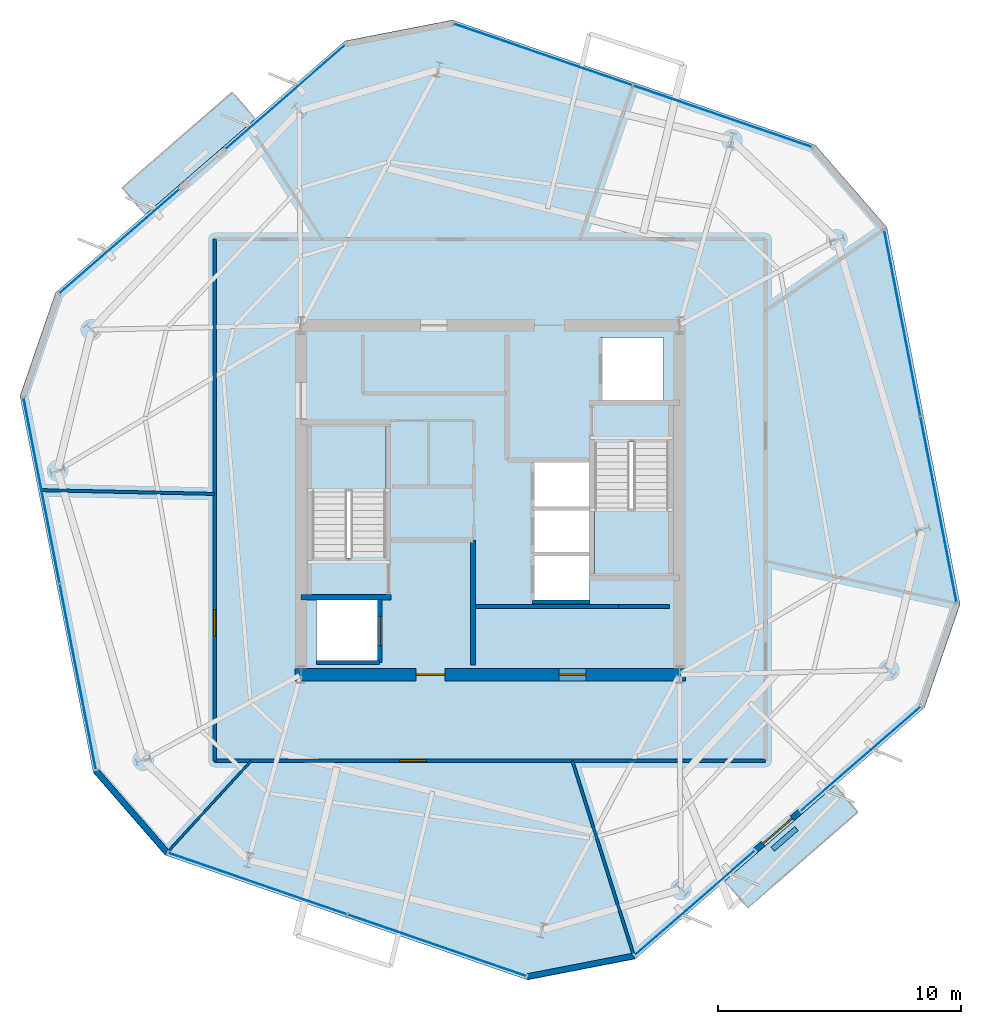
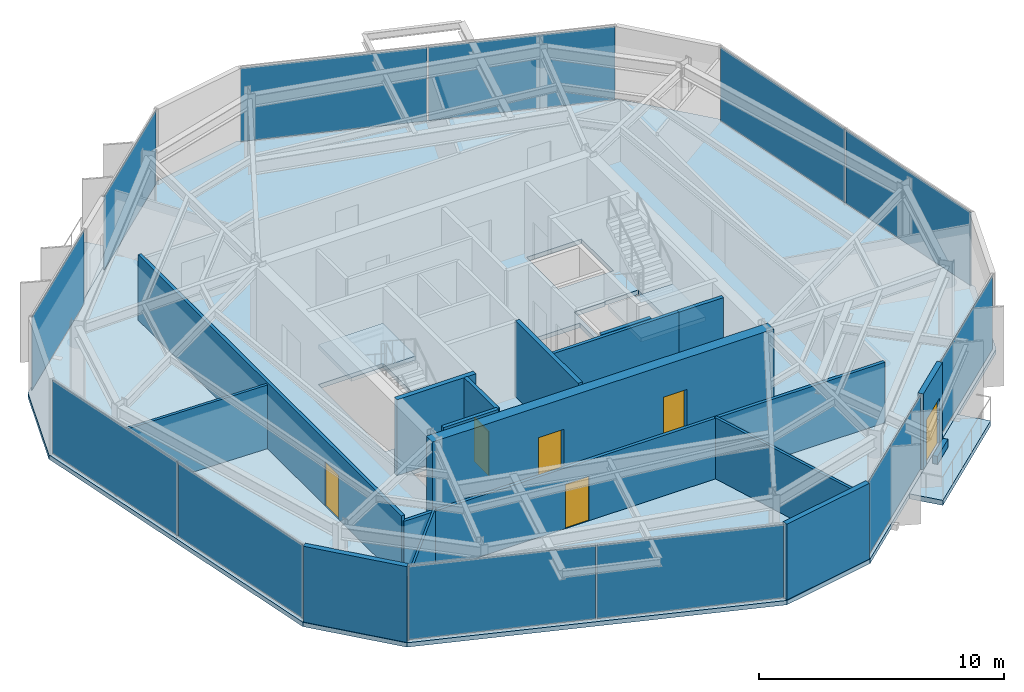
# One storey, part 6 of 11: 17 walls, 12 plates, 6 doors, 5 slabs, 6 openings, 10 elements without a shape of their own.
"""IFC4 building model written with IfcOpenShell, lengths in metres."""

from ifc_helpers import new_model, si_unit, direction, frame, frame_2d, origin, origin_2d, place, context, subcontext, project, spatial, polyline, rectangle, outline, extrude, material, layer, layer_set, type_object, element, fill, aggregate, save


model = new_model("IFC4")

# Units and contexts
model_context = context("Model", 3, precision=1e-05, world=origin(), true_north=direction((0.0, 1.0)))
body_context = subcontext(model_context, "Body", "Model", "MODEL_VIEW")
ifc_project = project(units=[si_unit("LENGTHUNIT", "METRE"), si_unit("AREAUNIT", "SQUARE_METRE"), si_unit("VOLUMEUNIT", "CUBIC_METRE"), si_unit("PLANEANGLEUNIT", "RADIAN"), si_unit("MASSUNIT", "GRAM", prefix="KILO")], contexts=[model_context])

# Site, building, storey
site_placement = place(None, origin())
site = spatial("IfcSite", under=ifc_project, at=site_placement, CompositionType="ELEMENT")
building_placement = place(site_placement, origin())
building = spatial("IfcBuilding", under=site, at=building_placement, Name="Kranzbogen Civic Tower", CompositionType="ELEMENT")
storey_placement = place(building_placement, frame((0.0, 0.0, 188.800048828125)))
storey = spatial("IfcBuildingStorey", under=building, at=storey_placement, Name="L45", CompositionType="ELEMENT", Elevation=188.800048828125)

# Slab
ifc_material_1 = material(Name="Concrete C40/50", Category="concrete")
ifc_layer_1 = layer(ifc_material_1, 0.219970703125, Name="Concrete C40/50")
ifc_layer_set_1 = layer_set([ifc_layer_1], Name="Concrete C40/50")
slab_type_1 = type_object("IfcSlabType", Name="Composite Upper Tower Floor Slab 220 mm", PredefinedType="FLOOR", material=ifc_layer_set_1)
slab_1_placement = place(storey_placement, frame((0.0, 0.0, -0.219970703125)))
element("IfcSlab", 1, at=slab_1_placement, inside=storey, type_object=slab_type_1, Name="L45 tower floor slab", PredefinedType="FLOOR", context=body_context, shape_type="SweptSolid", body=[
    extrude(outline(polyline([(38.404052734375, 39.633056640625), (23.447021484375, 44.783935546875), (19.029052734375, 43.925048828125), (7.090087890625, 33.5458984375), (5.625, 29.2919921875), (8.64404296875, 13.762939453125), (11.595947265625, 10.366943359375), (26.552978515625, 5.216064453125), (30.970947265625, 6.074951171875), (42.909912109375, 16.4541015625), (44.375, 20.7080078125), (41.35595703125, 36.237060546875), (38.404052734375, 39.633056640625)]), holes=[polyline([(17.85009765625, 20.89990234375), (20.449951171875, 20.89990234375), (20.449951171875, 18.300048828125), (17.85009765625, 18.300048828125), (17.85009765625, 20.89990234375)]), polyline([(29.10009765625, 22.699951171875), (29.10009765625, 20.800048828125), (26.75, 20.800048828125), (26.75, 22.699951171875), (29.10009765625, 22.699951171875)]), polyline([(29.10009765625, 24.64990234375), (29.10009765625, 22.77490234375), (26.75, 22.77490234375), (26.75, 24.64990234375), (26.75, 24.675048828125), (26.75, 26.550048828125), (29.10009765625, 26.550048828125), (29.10009765625, 24.675048828125), (29.10009765625, 24.64990234375)]), polyline([(29.300048828125, 27.340087890625), (30.75, 27.340087890625), (30.75, 27.39990234375), (32.35009765625, 27.39990234375), (32.35009765625, 21.89990234375), (29.300048828125, 21.89990234375), (29.300048828125, 27.340087890625)]), polyline([(20.699951171875, 22.659912109375), (19.25, 22.659912109375), (19.25, 22.60009765625), (17.64990234375, 22.60009765625), (17.64990234375, 28.10009765625), (20.699951171875, 28.10009765625), (20.699951171875, 22.659912109375)]), polyline([(32.14990234375, 31.699951171875), (32.14990234375, 29.10009765625), (29.550048828125, 29.10009765625), (29.550048828125, 31.699951171875), (32.14990234375, 31.699951171875)])]), origin(), (0.0, 0.0, 1.0), 0.219970703125),
])

# Curtain wall, plates
ifc_material_2 = material(Name="Pale Anodised Aluminium", Category="aluminium")
ifc_layer_2 = layer(ifc_material_2, 0.219970703125, Name="Pale Anodised Aluminium")
ifc_layer_set_2 = layer_set([ifc_layer_2], Name="Pale Anodised Aluminium")
curtain_wall_type = type_object("IfcCurtainWallType", Name="Zone 3 Stick Curtain Wall System CW-04", PredefinedType="USERDEFINED", material=ifc_layer_set_2)
curtain_wall_1_placement = place(storey_placement, origin())
curtain_wall_1 = element("IfcCurtainWall", 2, at=curtain_wall_1_placement, inside=storey, type_object=curtain_wall_type, Name="L45 curtain wall CW-L45-F1", ObjectType="STICK CURTAIN WALL", PredefinedType="USERDEFINED")
ifc_material_3 = material(Name="Low-E Triple Glazing Glass", Category="glass")
ifc_layer_3 = layer(ifc_material_3, 0.030029296875, Name="Low-E Triple Glazing Glass")
ifc_layer_set_3 = layer_set([ifc_layer_3], Name="Low-E Triple Glazing Glass")
plate_type = type_object("IfcPlateType", Name="Insulated Low-E Glazing Panel 30 mm", PredefinedType="CURTAIN_PANEL", material=ifc_layer_set_3)
plate_1_placement = place(storey_placement, frame((34.58203125, 40.8134765625, 0.06005859375), z_axis=(0.0, 0.0, 1.0), x_axis=(-0.945510919871, 0.325590387457, 0.0)))
plate_1 = element("IfcPlate", 3, at=plate_1_placement, type_object=plate_type, Name="CW-04 panel 1.1", PredefinedType="CURTAIN_PANEL", context=body_context, shape_type="SweptSolid", body=[
    extrude(rectangle(XDim=7.763427734375, YDim=0.028076171875, at=origin_2d()), origin(), (0.0, 0.0, 1.0), 3.659912109375),
])
plate_2_placement = place(storey_placement, frame((27.184814453125, 43.360595703125, 0.06005859375), z_axis=(0.0, 0.0, 1.0), x_axis=(-0.945510919871, 0.325590387457, 0.0)))
plate_2 = element("IfcPlate", 4, at=plate_2_placement, type_object=plate_type, Name="CW-04 panel 2.1", PredefinedType="CURTAIN_PANEL", context=body_context, shape_type="SweptSolid", body=[
    extrude(rectangle(XDim=7.763427734375, YDim=0.028076171875, at=origin_2d()), origin(), (0.0, 0.0, 1.0), 3.659912109375),
])
aggregate(curtain_wall_1, [plate_1, plate_2])

# Curtain wall, plate
curtain_wall_2_placement = place(storey_placement, origin())
curtain_wall_2 = element("IfcCurtainWall", 5, at=curtain_wall_2_placement, inside=storey, type_object=curtain_wall_type, Name="L45 curtain wall CW-L45-F2-S1", ObjectType="STICK CURTAIN WALL", PredefinedType="USERDEFINED")
plate_3_placement = place(storey_placement, frame((16.560546875, 41.6083984375, 0.06005859375), z_axis=(0.0, 0.0, 1.0), x_axis=(-0.754686413094, -0.656085678773, 0.0)))
plate_3 = element("IfcPlate", 6, at=plate_3_placement, type_object=plate_type, Name="CW-04 panel 1.1", PredefinedType="CURTAIN_PANEL", context=body_context, shape_type="SweptSolid", body=[
    extrude(rectangle(XDim=6.533203125, YDim=0.028076171875, at=origin_2d()), origin(), (0.0, 0.0, 1.0), 3.659912109375),
])
aggregate(curtain_wall_2, [plate_3])

curtain_wall_3_placement = place(storey_placement, origin())
curtain_wall_3 = element("IfcCurtainWall", 7, at=curtain_wall_3_placement, inside=storey, type_object=curtain_wall_type, Name="L45 curtain wall CW-L45-F2-S2", ObjectType="STICK CURTAIN WALL", PredefinedType="USERDEFINED")
plate_4_placement = place(storey_placement, frame((9.7275390625, 35.6689453125, 0.06005859375), z_axis=(0.0, 0.0, 1.0), x_axis=(-0.754741368162, -0.65602245936, 0.0)))
plate_4 = element("IfcPlate", 8, at=plate_4_placement, type_object=plate_type, Name="CW-04 panel 1.1", PredefinedType="CURTAIN_PANEL", context=body_context, shape_type="SweptSolid", body=[
    extrude(rectangle(XDim=6.53515625, YDim=0.028076171875, at=origin_2d()), origin(), (0.0, 0.0, 1.0), 3.659912109375),
])
aggregate(curtain_wall_3, [plate_4])

# Curtain wall, plates
curtain_wall_4_placement = place(storey_placement, origin())
curtain_wall_4 = element("IfcCurtainWall", 9, at=curtain_wall_4_placement, inside=storey, type_object=curtain_wall_type, Name="L45 curtain wall CW-L45-F3", ObjectType="STICK CURTAIN WALL", PredefinedType="USERDEFINED")
plate_5_placement = place(storey_placement, frame((6.51416015625, 25.392333984375, 0.06005859375), z_axis=(0.0, 0.0, 1.0), x_axis=(0.190787871215, -0.981631289333, 0.0)))
plate_5 = element("IfcPlate", 10, at=plate_5_placement, type_object=plate_type, Name="CW-04 panel 1.1", PredefinedType="CURTAIN_PANEL", context=body_context, shape_type="SweptSolid", body=[
    extrude(rectangle(XDim=7.76416015625, YDim=0.028076171875, at=origin_2d()), origin(), (0.0, 0.0, 1.0), 3.659912109375),
])
plate_6_placement = place(storey_placement, frame((8.0068359375, 17.711669921875, 0.06005859375), z_axis=(0.0, 0.0, 1.0), x_axis=(0.190787871215, -0.981631289333, 0.0)))
plate_6 = element("IfcPlate", 11, at=plate_6_placement, type_object=plate_type, Name="CW-04 panel 2.1", PredefinedType="CURTAIN_PANEL", context=body_context, shape_type="SweptSolid", body=[
    extrude(rectangle(XDim=7.76416015625, YDim=0.028076171875, at=origin_2d()), origin(), (0.0, 0.0, 1.0), 3.659912109375),
])
aggregate(curtain_wall_4, [plate_5, plate_6])

curtain_wall_5_placement = place(storey_placement, origin())
curtain_wall_5 = element("IfcCurtainWall", 12, at=curtain_wall_5_placement, inside=storey, type_object=curtain_wall_type, Name="L45 curtain wall CW-L45-F4", ObjectType="STICK CURTAIN WALL", PredefinedType="USERDEFINED")
plate_7_placement = place(storey_placement, frame((15.41796875, 9.1865234375, 0.06005859375), z_axis=(0.0, 0.0, 1.0), x_axis=(0.945510919871, -0.325590387457, 0.0)))
plate_7 = element("IfcPlate", 13, at=plate_7_placement, type_object=plate_type, Name="CW-04 panel 1.1", PredefinedType="CURTAIN_PANEL", context=body_context, shape_type="SweptSolid", body=[
    extrude(rectangle(XDim=7.763427734375, YDim=0.028076171875, at=origin_2d()), origin(), (0.0, 0.0, 1.0), 3.659912109375),
])
plate_8_placement = place(storey_placement, frame((22.815185546875, 6.639404296875, 0.06005859375), z_axis=(0.0, 0.0, 1.0), x_axis=(0.945510919871, -0.325590387457, 0.0)))
plate_8 = element("IfcPlate", 14, at=plate_8_placement, type_object=plate_type, Name="CW-04 panel 2.1", PredefinedType="CURTAIN_PANEL", context=body_context, shape_type="SweptSolid", body=[
    extrude(rectangle(XDim=7.763427734375, YDim=0.028076171875, at=origin_2d()), origin(), (0.0, 0.0, 1.0), 3.659912109375),
])
aggregate(curtain_wall_5, [plate_7, plate_8])

# Curtain wall, plate
curtain_wall_6_placement = place(storey_placement, origin())
curtain_wall_6 = element("IfcCurtainWall", 15, at=curtain_wall_6_placement, inside=storey, type_object=curtain_wall_type, Name="L45 curtain wall CW-L45-F5-S1", ObjectType="STICK CURTAIN WALL", PredefinedType="USERDEFINED")
plate_9_placement = place(storey_placement, frame((33.439453125, 8.3916015625, 0.06005859375), z_axis=(0.0, 0.0, 1.0), x_axis=(0.754686413094, 0.656085678773, 0.0)))
plate_9 = element("IfcPlate", 16, at=plate_9_placement, type_object=plate_type, Name="CW-04 panel 1.1", PredefinedType="CURTAIN_PANEL", context=body_context, shape_type="SweptSolid", body=[
    extrude(rectangle(XDim=6.533203125, YDim=0.028076171875, at=origin_2d()), origin(), (0.0, 0.0, 1.0), 3.659912109375),
])
aggregate(curtain_wall_6, [plate_9])

curtain_wall_7_placement = place(storey_placement, origin())
curtain_wall_7 = element("IfcCurtainWall", 17, at=curtain_wall_7_placement, inside=storey, type_object=curtain_wall_type, Name="L45 curtain wall CW-L45-F5-S2", ObjectType="STICK CURTAIN WALL", PredefinedType="USERDEFINED")
plate_10_placement = place(storey_placement, frame((40.2724609375, 14.3310546875, 0.06005859375), z_axis=(0.0, 0.0, 1.0), x_axis=(0.754741368162, 0.65602245936, 0.0)))
plate_10 = element("IfcPlate", 18, at=plate_10_placement, type_object=plate_type, Name="CW-04 panel 1.1", PredefinedType="CURTAIN_PANEL", context=body_context, shape_type="SweptSolid", body=[
    extrude(rectangle(XDim=6.53515625, YDim=0.028076171875, at=origin_2d()), origin(), (0.0, 0.0, 1.0), 3.659912109375),
])
aggregate(curtain_wall_7, [plate_10])

# Curtain wall, plates
curtain_wall_8_placement = place(storey_placement, origin())
curtain_wall_8 = element("IfcCurtainWall", 19, at=curtain_wall_8_placement, inside=storey, type_object=curtain_wall_type, Name="L45 curtain wall CW-L45-F6", ObjectType="STICK CURTAIN WALL", PredefinedType="USERDEFINED")
plate_11_placement = place(storey_placement, frame((43.48583984375, 24.607666015625, 0.06005859375), z_axis=(0.0, 0.0, 1.0), x_axis=(-0.190787871215, 0.981631289333, 0.0)))
plate_11 = element("IfcPlate", 20, at=plate_11_placement, type_object=plate_type, Name="CW-04 panel 1.1", PredefinedType="CURTAIN_PANEL", context=body_context, shape_type="SweptSolid", body=[
    extrude(rectangle(XDim=7.76416015625, YDim=0.028076171875, at=origin_2d()), origin(), (0.0, 0.0, 1.0), 3.659912109375),
])
plate_12_placement = place(storey_placement, frame((41.9931640625, 32.288330078125, 0.06005859375), z_axis=(0.0, 0.0, 1.0), x_axis=(-0.190787871215, 0.981631289333, 0.0)))
plate_12 = element("IfcPlate", 21, at=plate_12_placement, type_object=plate_type, Name="CW-04 panel 2.1", PredefinedType="CURTAIN_PANEL", context=body_context, shape_type="SweptSolid", body=[
    extrude(rectangle(XDim=7.76416015625, YDim=0.028076171875, at=origin_2d()), origin(), (0.0, 0.0, 1.0), 3.659912109375),
])
aggregate(curtain_wall_8, [plate_11, plate_12])

# Stair, slab
ifc_material_4 = material(Name="Precast concrete C40/50", Category="concrete")
stair_type_1 = type_object("IfcStairType", Name="Tower Core Pressurized Dogleg Stair 1450", PredefinedType="HALF_TURN_STAIR", material=ifc_material_4)
stair_1_placement = place(storey_placement, origin())
stair_1 = element("IfcStair", 22, at=stair_1_placement, inside=storey, type_object=stair_type_1, Name="L45 Tower Core Pressurized Stair 1", PredefinedType="HALF_TURN_STAIR")
ifc_layer_4 = layer(ifc_material_4, 0.199951171875, Name="Precast concrete C40/50")
ifc_layer_set_4 = layer_set([ifc_layer_4], Name="Precast concrete C40/50")
slab_type_2 = type_object("IfcSlabType", Name="Precast Concrete Stair Landing Slab 200 mm", PredefinedType="LANDING", material=ifc_layer_set_4)
slab_2_placement = place(storey_placement, frame((0.0, 0.0, 1.800048828125)))
slab_2 = element("IfcSlab", 23, at=slab_2_placement, type_object=slab_type_2, Name="ST-T1 landing 1", PredefinedType="LANDING", context=body_context, shape_type="SweptSolid", body=[
    extrude(outline(polyline([(20.699951171875, 25.39990234375), (20.699951171875, 28.10009765625), (17.64990234375, 28.10009765625), (17.64990234375, 25.39990234375), (20.699951171875, 25.39990234375)])), origin(), (0.0, 0.0, 1.0), 0.199951171875),
])
aggregate(stair_1, [slab_2])

stair_type_2 = type_object("IfcStairType", Name="Tower Core Secondary Dogleg Stair 1450", PredefinedType="HALF_TURN_STAIR", material=ifc_material_4)
stair_2_placement = place(storey_placement, origin())
stair_2 = element("IfcStair", 24, at=stair_2_placement, inside=storey, type_object=stair_type_2, Name="L45 Tower Core Pressurized Stair 2", PredefinedType="HALF_TURN_STAIR")
slab_3_placement = place(storey_placement, frame((0.0, 0.0, 1.800048828125)))
slab_3 = element("IfcSlab", 25, at=slab_3_placement, type_object=slab_type_2, Name="ST-T2 landing 1", PredefinedType="LANDING", context=body_context, shape_type="SweptSolid", body=[
    extrude(outline(polyline([(29.300048828125, 24.60009765625), (29.300048828125, 21.89990234375), (32.35009765625, 21.89990234375), (32.35009765625, 24.60009765625), (29.300048828125, 24.60009765625)])), origin(), (0.0, 0.0, 1.0), 0.199951171875),
])
aggregate(stair_2, [slab_3])

# Slabs
ifc_layer_5 = layer(ifc_material_1, 0.25, Name="Concrete C40/50")
ifc_layer_set_5 = layer_set([ifc_layer_5], Name="Concrete C40/50")
slab_type_3 = type_object("IfcSlabType", Name="Tree Balcony Cantilevered Slab 250 mm", PredefinedType="FLOOR", material=ifc_layer_set_5)
slab_4_placement = place(storey_placement, frame((0.0, 0.0, -0.25)))
element("IfcSlab", 26, at=slab_4_placement, inside=storey, type_object=slab_type_3, Name="L45 cantilevered tree balcony L45-TB1", PredefinedType="FLOOR", context=body_context, shape_type="SweptSolid", body=[
    extrude(outline(polyline([(34.676025390625, 9.2958984375), (39.2041015625, 13.23193359375), (40.155029296875, 12.137939453125), (35.626953125, 8.201904296875), (34.676025390625, 9.2958984375)])), origin(), (0.0, 0.0, 1.0), 0.25),
])
slab_5_placement = place(storey_placement, frame((0.0, 0.0, -0.25)))
element("IfcSlab", 27, at=slab_5_placement, inside=storey, type_object=slab_type_3, Name="L45 cantilevered tree balcony L45-TB2", PredefinedType="FLOOR", context=body_context, shape_type="SweptSolid", body=[
    extrude(outline(polyline([(15.323974609375, 40.7041015625), (10.7958984375, 36.76806640625), (9.844970703125, 37.862060546875), (14.373046875, 41.798095703125), (15.323974609375, 40.7041015625)])), origin(), (0.0, 0.0, 1.0), 0.25),
])

# Wall
ifc_material_5 = material(Name="Double-Stud Acoustic Gypsum Partition")
ifc_layer_6 = layer(ifc_material_5, 0.14990234375, Name="Double-Stud Acoustic Gypsum Partition")
ifc_layer_set_6 = layer_set([ifc_layer_6], Name="Double-Stud Acoustic Gypsum Partition")
wall_type_1 = type_object("IfcWallType", Name="Acoustic Corridor and Clinical Partition 150 mm", PredefinedType="PARTITIONING", material=ifc_layer_set_6)
wall_1_placement = place(storey_placement, frame((24.39990234375, 20.610107421875, 0.0), z_axis=(0.0, 0.0, 1.0), x_axis=(1.0, 0.0, 0.0)))
element("IfcWall", 28, at=wall_1_placement, inside=storey, type_object=wall_type_1, Name="L45 records zone North wall", PredefinedType="PARTITIONING", context=body_context, shape_type="SweptSolid", body=[
    extrude(rectangle(XDim=5.900146484375, YDim=0.14990234375, at=frame_2d((2.9501953125, 0.0))), origin(), (0.0, 0.0, 1.0), 3.780029296875),
])

# Wall, opening, door
wall_2_placement = place(storey_placement, frame((36.35009765625, 14.25, 0.0), z_axis=(0.0, 0.0, 1.0), x_axis=(-1.0, 0.0, 0.0)))
wall_2 = element("IfcWall", 29, at=wall_2_placement, inside=storey, type_object=wall_type_1, Name="L45 corridor partition 03", PredefinedType="PARTITIONING", context=body_context, shape_type="SweptSolid", body=[
    extrude(rectangle(XDim=22.7001953125, YDim=0.14990234375, at=frame_2d((11.35009765625, 0.0))), origin(), (0.0, 0.0, 1.0), 3.02001953125),
])
opening_1_placement = place(wall_2_placement, frame((13.971923828125, 0.0, 0.0)))
opening_1 = element("IfcOpeningElement", 30, at=opening_1_placement, cuts=wall_2, Name="Opening D-COR60", PredefinedType="OPENING", context=body_context, shape_type="SweptSolid", body=[
    extrude(rectangle(XDim=1.10009765625, YDim=2.199951171875, at=frame_2d((0.550048828125, 1.10009765625))), frame((0.0, 0.0849609375, 0.0), z_axis=(0.0, -1.0, 0.0), x_axis=(1.0, 0.0, 0.0)), (0.0, 0.0, 1.0), 0.169921875),
])
ifc_material_6 = material(Name="Oak Timber and Fire Core", Category="wood")
door_type_1 = type_object("IfcDoorType", Name="Corridor Acoustic Fire Door 1100x2200", OperationType="NOTDEFINED", PredefinedType="DOOR", material=ifc_material_6)
door_1_placement = place(opening_1_placement, origin())
door_1 = element("IfcDoor", 31, at=door_1_placement, inside=storey, type_object=door_type_1, Name="L45 Urban Design Workshop door", OperationType="SINGLE_SWING_RIGHT", OverallHeight=2.199951171875, OverallWidth=1.10009765625, PredefinedType="DOOR", context=body_context, shape_type="SweptSolid", body=[
    extrude(rectangle(XDim=1.10009765625, YDim=2.199951171875, at=frame_2d((0.550048828125, 1.10009765625))), frame((0.0, 0.02490234375, 0.0), z_axis=(0.0, -1.0, 0.0), x_axis=(1.0, 0.0, 0.0)), (0.0, 0.0, 1.0), 0.050048828125),
])
fill(opening_1, door_1)

wall_3_placement = place(storey_placement, frame((13.64990234375, 14.25, 0.0), z_axis=(0.0, 0.0, 1.0), x_axis=(0.0, 1.0, 0.0)))
wall_3 = element("IfcWall", 32, at=wall_3_placement, inside=storey, type_object=wall_type_1, Name="L45 corridor partition 04", PredefinedType="PARTITIONING", context=body_context, shape_type="SweptSolid", body=[
    extrude(rectangle(XDim=21.5, YDim=0.14990234375, at=frame_2d((10.75, 0.0))), origin(), (0.0, 0.0, 1.0), 3.280029296875),
])
opening_2_placement = place(wall_3_placement, frame((5.134033203125, 0.0, 0.0)))
opening_2 = element("IfcOpeningElement", 33, at=opening_2_placement, cuts=wall_3, Name="Opening D-COR60", PredefinedType="OPENING", context=body_context, shape_type="SweptSolid", body=[
    extrude(rectangle(XDim=1.10009765625, YDim=2.199951171875, at=frame_2d((0.550048828125, 1.10009765625))), frame((0.0, 0.0849609375, 0.0), z_axis=(0.0, -1.0, 0.0), x_axis=(1.0, 0.0, 0.0)), (0.0, 0.0, 1.0), 0.169921875),
])
door_2_placement = place(opening_2_placement, origin())
door_2 = element("IfcDoor", 34, at=door_2_placement, inside=storey, type_object=door_type_1, Name="L45 Civic Reference Library door", OperationType="SINGLE_SWING_LEFT", OverallHeight=2.199951171875, OverallWidth=1.10009765625, PredefinedType="DOOR", context=body_context, shape_type="SweptSolid", body=[
    extrude(rectangle(XDim=1.10009765625, YDim=2.199951171875, at=frame_2d((0.550048828125, 1.10009765625))), frame((0.0, 0.02490234375, 0.0), z_axis=(0.0, -1.0, 0.0), x_axis=(1.0, 0.0, 0.0)), (0.0, 0.0, 1.0), 0.050048828125),
])
fill(opening_2, door_2)

# Walls
ifc_material_7 = material(Name="Insulated Metal-Stud Gypsum Partition")
ifc_layer_7 = layer(ifc_material_7, 0.125, Name="Insulated Metal-Stud Gypsum Partition")
ifc_layer_set_7 = layer_set([ifc_layer_7], Name="Insulated Metal-Stud Gypsum Partition")
wall_type_2 = type_object("IfcWallType", Name="Acoustic Inter-Room Partition 125 mm", PredefinedType="PARTITIONING", material=ifc_layer_set_7)
wall_4_placement = place(storey_placement, frame((13.64990234375, 25.25, 0.0), z_axis=(0.0, 0.0, 1.0), x_axis=(-0.999760164854, 0.021900063259, 0.0)))
element("IfcWall", 35, at=wall_4_placement, inside=storey, type_object=wall_type_2, Name="L45 radial room partition 03", PredefinedType="PARTITIONING", context=body_context, shape_type="SweptSolid", body=[
    extrude(rectangle(XDim=7.12353515625, YDim=0.125, at=frame_2d((3.561767578125, 0.0))), origin(), (0.0, 0.0, 1.0), 3.179931640625),
])
wall_5_placement = place(storey_placement, frame((28.39208984375, 14.25, 0.0), z_axis=(0.0, 0.0, 1.0), x_axis=(0.300821664348, -0.953680410965, 0.0)))
element("IfcWall", 36, at=wall_5_placement, inside=storey, type_object=wall_type_2, Name="L45 radial room partition 05", PredefinedType="PARTITIONING", context=body_context, shape_type="SweptSolid", body=[
    extrude(rectangle(XDim=8.41357421875, YDim=0.125, at=frame_2d((4.206787109375, 0.0))), origin(), (0.0, 0.0, 1.0), 3.050048828125),
])
ifc_material_8 = material(Name="Architectural Precast Terracotta Concrete C40/50", Category="masonry")
ifc_layer_8 = layer(ifc_material_8, 0.219970703125, Name="Architectural Precast Terracotta Concrete C40/50")
ifc_layer_set_8 = layer_set([ifc_layer_8], Name="Architectural Precast Terracotta Concrete C40/50")
wall_type_3 = type_object("IfcWallType", Name="Architectural Tree Planter Kerb Wall 220 mm", PredefinedType="USERDEFINED", material=ifc_layer_set_8)
wall_6_placement = place(storey_placement, frame((36.64892578125, 10.60791015625, 0.0), z_axis=(0.0, 0.0, 1.0), x_axis=(0.75537303729, 0.655295028621, 0.0)))
element("IfcWall", 37, at=wall_6_placement, inside=storey, type_object=wall_type_3, Name="L45 landscaped tree balcony planter L45-TB1", ObjectType="PLANTER_WALL", PredefinedType="USERDEFINED", context=body_context, shape_type="SweptSolid", body=[
    extrude(rectangle(XDim=1.30029296875, YDim=0.219970703125, at=frame_2d((0.650146484375, 0.0))), origin(), (0.0, 0.0, 1.0), 0.39990234375),
])

# Wall, openings, doors
ifc_material_9 = material(Name="Concrete C45/55", Category="concrete")
ifc_layer_9 = layer(ifc_material_9, 0.5, Name="Concrete C45/55")
ifc_layer_set_9 = layer_set([ifc_layer_9], Name="Concrete C45/55")
wall_type_4 = type_object("IfcWallType", Name="Central Core Shear Wall 500 mm", PredefinedType="SHEAR", material=ifc_layer_set_9)
wall_7_placement = place(storey_placement, frame((16.949951171875, 17.800048828125, 0.0), z_axis=(0.0, 0.0, 1.0), x_axis=(1.0, 0.0, 0.0)))
wall_7 = element("IfcWall", 38, at=wall_7_placement, inside=storey, type_object=wall_type_4, Name="L45 central core South shear wall", PredefinedType="SHEAR", context=body_context, shape_type="SweptSolid", body=[
    extrude(rectangle(XDim=16.10009765625, YDim=0.5, at=frame_2d((8.050048828125, 0.0))), origin(), (0.0, 0.0, 1.0), 3.780029296875),
])
opening_3_placement = place(wall_7_placement, frame((5.0, 0.0, 0.0)))
opening_3 = element("IfcOpeningElement", 39, at=opening_3_placement, cuts=wall_7, Name="Opening D-EX120", PredefinedType="OPENING", context=body_context, shape_type="SweptSolid", body=[
    extrude(rectangle(XDim=1.199951171875, YDim=2.25, at=frame_2d((0.60009765625, 1.125))), frame((0.0, 0.260009765625, 0.0), z_axis=(0.0, -1.0, 0.0), x_axis=(1.0, 0.0, 0.0)), (0.0, 0.0, 1.0), 0.52001953125),
])
opening_4_placement = place(wall_7_placement, frame((10.89990234375, 0.0, 0.0)))
opening_4 = element("IfcOpeningElement", 40, at=opening_4_placement, cuts=wall_7, Name="Opening D-COR60", PredefinedType="OPENING", context=body_context, shape_type="SweptSolid", body=[
    extrude(rectangle(XDim=1.10009765625, YDim=2.199951171875, at=frame_2d((0.550048828125, 1.10009765625))), frame((0.0, 0.260009765625, 0.0), z_axis=(0.0, -1.0, 0.0), x_axis=(1.0, 0.0, 0.0)), (0.0, 0.0, 1.0), 0.52001953125),
])
door_3_placement = place(opening_4_placement, origin())
door_3 = element("IfcDoor", 41, at=door_3_placement, inside=storey, type_object=door_type_1, Name="L45 REC1 archive room door", OperationType="SINGLE_SWING_LEFT", OverallHeight=2.199951171875, OverallWidth=1.10009765625, PredefinedType="DOOR", context=body_context, shape_type="SweptSolid", body=[
    extrude(rectangle(XDim=1.10009765625, YDim=2.199951171875, at=frame_2d((0.550048828125, 1.10009765625))), frame((0.0, 0.02490234375, 0.0), z_axis=(0.0, -1.0, 0.0), x_axis=(1.0, 0.0, 0.0)), (0.0, 0.0, 1.0), 0.050048828125),
])
fill(opening_4, door_3)
ifc_material_10 = material(Name="Steel S355", Category="steel")
door_type_2 = type_object("IfcDoorType", Name="Exit Passageway Fire Door 1200x2250", OperationType="NOTDEFINED", PredefinedType="DOOR", material=ifc_material_10)
door_4_placement = place(opening_3_placement, origin())
door_4 = element("IfcDoor", 42, at=door_4_placement, inside=storey, type_object=door_type_2, Name="L45 West firefighting lobby corridor door", OperationType="SINGLE_SWING_RIGHT", OverallHeight=2.25, OverallWidth=1.199951171875, PredefinedType="DOOR", context=body_context, shape_type="SweptSolid", body=[
    extrude(rectangle(XDim=1.199951171875, YDim=2.25, at=frame_2d((0.60009765625, 1.125))), frame((0.0, 0.02490234375, 0.0), z_axis=(0.0, -1.0, 0.0), x_axis=(1.0, 0.0, 0.0)), (0.0, 0.0, 1.0), 0.050048828125),
])
fill(opening_3, door_4)

# Walls
ifc_layer_10 = layer(ifc_material_9, 0.219970703125, Name="Concrete C45/55")
ifc_layer_set_10 = layer_set([ifc_layer_10], Name="Concrete C45/55")
wall_type_5 = type_object("IfcWallType", Name="Core Internal Stair Structural Wall 220 mm", PredefinedType="SOLIDWALL", material=ifc_layer_set_10)
wall_8_placement = place(storey_placement, frame((17.199951171875, 20.989990234375, 0.0), z_axis=(0.0, 0.0, 1.0), x_axis=(1.0, 0.0, 0.0)))
element("IfcWall", 43, at=wall_8_placement, inside=storey, type_object=wall_type_5, Name="L45 ST-T1 South structural stair wall", PredefinedType="SOLIDWALL", context=body_context, shape_type="SweptSolid", body=[
    extrude(rectangle(XDim=3.719970703125, YDim=0.219970703125, at=frame_2d((1.85986328125, 0.0))), origin(), (0.0, 0.0, 1.0), 3.780029296875),
])
ifc_material_11 = material(Name="Demountable Aluminium and Gypsum Partition", Category="aluminium")
ifc_layer_11 = layer(ifc_material_11, 0.10009765625, Name="Demountable Aluminium and Gypsum Partition")
ifc_layer_set_11 = layer_set([ifc_layer_11], Name="Demountable Aluminium and Gypsum Partition")
wall_type_6 = type_object("IfcWallType", Name="Demountable Office Partition 100 mm", PredefinedType="MOVABLE", material=ifc_layer_set_11)
wall_9_placement = place(storey_placement, frame((15.153076171875, 14.25, 0.0), z_axis=(0.0, 0.0, 1.0), x_axis=(-0.675503818213, -0.737356488803, 0.0)))
element("IfcWall", 44, at=wall_9_placement, inside=storey, type_object=wall_type_6, Name="L45 radial room partition 04", PredefinedType="MOVABLE", context=body_context, shape_type="SweptSolid", body=[
    extrude(rectangle(XDim=5.107666015625, YDim=0.10009765625, at=frame_2d((2.5537109375, 0.0))), origin(), (0.0, 0.0, 1.0), 3.179931640625),
])
ifc_material_12 = material(Name="Gypsum Fireboard and Concrete Block", Category="concrete")
ifc_layer_12 = layer(ifc_material_12, 0.199951171875, Name="Gypsum Fireboard and Concrete Block")
ifc_layer_set_12 = layer_set([ifc_layer_12], Name="Gypsum Fireboard and Concrete Block")
wall_type_7 = type_object("IfcWallType", Name="Fire-Rated Exit Passageway and Stair Wall 200 mm", PredefinedType="PARTITIONING", material=ifc_layer_set_12)
wall_10_placement = place(storey_placement, frame((24.300048828125, 18.199951171875, 0.0), z_axis=(0.0, 0.0, 1.0), x_axis=(0.0, 1.0, 0.0)))
element("IfcWall", 45, at=wall_10_placement, inside=storey, type_object=wall_type_7, Name="L45 West firefighting lobby East wall", PredefinedType="PARTITIONING", context=body_context, shape_type="SweptSolid", body=[
    extrude(rectangle(XDim=5.150146484375, YDim=0.199951171875, at=frame_2d((2.5751953125, 0.0))), origin(), (0.0, 0.0, 1.0), 3.780029296875),
])
ifc_material_13 = material(Name="Gypsum Fireboard Shaftliner")
ifc_layer_13 = layer(ifc_material_13, 0.175048828125, Name="Gypsum Fireboard Shaftliner")
ifc_layer_set_13 = layer_set([ifc_layer_13], Name="Gypsum Fireboard Shaftliner")
wall_type_8 = type_object("IfcWallType", Name="Fire-Rated Lift and Service Shaft Wall 175 mm", PredefinedType="PARTITIONING", material=ifc_layer_set_13)
wall_11_placement = place(storey_placement, frame((30.300048828125, 20.610107421875, 0.0), z_axis=(0.0, 0.0, 1.0), x_axis=(1.0, 0.0, 0.0)))
element("IfcWall", 46, at=wall_11_placement, inside=storey, type_object=wall_type_8, Name="L45 merged archive North wall", PredefinedType="PARTITIONING", context=body_context, shape_type="SweptSolid", body=[
    extrude(rectangle(XDim=2.099853515625, YDim=0.175048828125, at=frame_2d((1.0498046875, 0.0))), origin(), (0.0, 0.0, 1.0), 3.780029296875),
])
wall_12_placement = place(storey_placement, frame((26.75, 20.800048828125, 0.0), z_axis=(0.0, 0.0, 1.0), x_axis=(1.0, 0.0, 0.0)))
element("IfcWall", 47, at=wall_12_placement, inside=storey, type_object=wall_type_8, Name="L45 lift HP-01 side wall", PredefinedType="PARTITIONING", context=body_context, shape_type="SweptSolid", body=[
    extrude(rectangle(XDim=2.35009765625, YDim=0.175048828125, at=frame_2d((1.175048828125, 0.0))), origin(), (0.0, 0.0, 1.0), 3.780029296875),
])

# Wall, opening, door
wall_13_placement = place(storey_placement, frame((20.449951171875, 18.300048828125, 0.0), z_axis=(0.0, 0.0, 1.0), x_axis=(0.0, 1.0, 0.0)))
wall_13 = element("IfcWall", 48, at=wall_13_placement, inside=storey, type_object=wall_type_8, Name="L45 lift FF-01 landing wall", PredefinedType="PARTITIONING", context=body_context, shape_type="SweptSolid", body=[
    extrude(rectangle(XDim=2.599853515625, YDim=0.175048828125, at=frame_2d((1.2998046875, 0.0))), origin(), (0.0, 0.0, 1.0), 3.780029296875),
])
opening_5_placement = place(wall_13_placement, frame((0.699951171875, 0.0, 0.0)))
opening_5 = element("IfcOpeningElement", 49, at=opening_5_placement, cuts=wall_13, Name="Opening LD-FF-01", PredefinedType="OPENING", context=body_context, shape_type="SweptSolid", body=[
    extrude(rectangle(XDim=1.199951171875, YDim=2.199951171875, at=frame_2d((0.60009765625, 1.10009765625))), frame((0.0, 0.09765625, 0.0), z_axis=(0.0, -1.0, 0.0), x_axis=(1.0, 0.0, 0.0)), (0.0, 0.0, 1.0), 0.195068359375),
])
door_type_3 = type_object("IfcDoorType", Name="Firefighting and Stretcher Lift Sliding Landing Door 1200x2200", OperationType="DOUBLE_DOOR_SLIDING", PredefinedType="DOOR", material=ifc_material_2)
door_5_placement = place(opening_5_placement, origin())
door_5 = element("IfcDoor", 50, at=door_5_placement, inside=storey, type_object=door_type_3, Name="L45 lift FF-01 sliding landing door", OperationType="DOUBLE_DOOR_SLIDING", OverallHeight=2.199951171875, OverallWidth=1.199951171875, PredefinedType="DOOR", context=body_context, shape_type="SweptSolid", body=[
    extrude(rectangle(XDim=1.199951171875, YDim=2.199951171875, at=frame_2d((0.60009765625, 1.10009765625))), frame((0.0, 0.02490234375, 0.0), z_axis=(0.0, -1.0, 0.0), x_axis=(1.0, 0.0, 0.0)), (0.0, 0.0, 1.0), 0.050048828125),
])
fill(opening_5, door_5)

# Walls
wall_14_placement = place(storey_placement, frame((17.85009765625, 18.300048828125, 0.0), z_axis=(0.0, 0.0, 1.0), x_axis=(1.0, 0.0, 0.0)))
element("IfcWall", 51, at=wall_14_placement, inside=storey, type_object=wall_type_8, Name="L45 lift FF-01 side wall", PredefinedType="PARTITIONING", context=body_context, shape_type="SweptSolid", body=[
    extrude(rectangle(XDim=2.599853515625, YDim=0.175048828125, at=frame_2d((1.2998046875, 0.0))), origin(), (0.0, 0.0, 1.0), 3.780029296875),
])
ifc_layer_14 = layer(ifc_material_2, 0.239990234375, Name="Pale Anodised Aluminium")
ifc_layer_set_14 = layer_set([ifc_layer_14], Name="Pale Anodised Aluminium")
wall_type_9 = type_object("IfcWallType", Name="Insulated Aluminium Facade Portal Wall 240 mm", PredefinedType="STANDARD", material=ifc_layer_set_14)
wall_15_placement = place(storey_placement, frame((8.759033203125, 13.842041015625, 0.0), z_axis=(0.0, 0.0, 1.0), x_axis=(0.656134075049, -0.754644337128, 0.0)))
element("IfcWall", 52, at=wall_15_placement, inside=storey, type_object=wall_type_9, Name="L45 chamfered corner facade spandrel 3", PredefinedType="STANDARD", context=body_context, shape_type="SweptSolid", body=[
    extrude(rectangle(XDim=4.468505859375, YDim=0.239990234375, at=frame_2d((2.234375, 0.0))), origin(), (0.0, 0.0, 1.0), 3.780029296875),
])
wall_16_placement = place(storey_placement, frame((26.5419921875, 5.35595703125, 0.0), z_axis=(0.0, 0.0, 1.0), x_axis=(0.981615105357, 0.190871121271, 0.0)))
element("IfcWall", 53, at=wall_16_placement, inside=storey, type_object=wall_type_9, Name="L45 chamfered corner facade spandrel 4", PredefinedType="STANDARD", context=body_context, shape_type="SweptSolid", body=[
    extrude(rectangle(XDim=4.46923828125, YDim=0.239990234375, at=frame_2d((2.234619140625, 0.0))), origin(), (0.0, 0.0, 1.0), 3.780029296875),
])

# Wall, opening, door
wall_17_placement = place(storey_placement, frame((35.949951171875, 10.573974609375, 0.0), z_axis=(0.0, 0.0, 1.0), x_axis=(0.754778546913, 0.655979683466, 0.0)))
wall_17 = element("IfcWall", 54, at=wall_17_placement, inside=storey, type_object=wall_type_9, Name="L45 exterior entrance portal wall 1", PredefinedType="STANDARD", context=body_context, shape_type="SweptSolid", body=[
    extrude(rectangle(XDim=2.3994140625, YDim=0.239990234375, at=frame_2d((1.19970703125, 0.0))), origin(), (0.0, 0.0, 1.0), 3.780029296875),
])
opening_6_placement = place(wall_17_placement, frame((0.39990234375, 0.0, 0.0)))
opening_6 = element("IfcOpeningElement", 55, at=opening_6_placement, cuts=wall_17, Name="Opening D-TER", PredefinedType="OPENING", context=body_context, shape_type="SweptSolid", body=[
    extrude(rectangle(XDim=1.60009765625, YDim=2.25, at=frame_2d((0.800048828125, 1.125))), frame((0.0, 0.1298828125, 0.0), z_axis=(0.0, -1.0, 0.0), x_axis=(1.0, 0.0, 0.0)), (0.0, 0.0, 1.0), 0.260009765625),
])
ifc_material_14 = material(Name="Anodised Bronze and Triple Glass", Category="glass")
door_type_4 = type_object("IfcDoorType", Name="Glazed Terrace and Balcony Double Door 1600x2250", OperationType="DOUBLE_DOOR_SINGLE_SWING", PredefinedType="DOOR", material=ifc_material_14)
door_6_placement = place(opening_6_placement, frame((1.60009765625, 0.0, 0.0), z_axis=(0.0, 0.0, 1.0), x_axis=(-1.0, 0.0, 0.0)))
door_6 = element("IfcDoor", 56, at=door_6_placement, inside=storey, type_object=door_type_4, Name="L45 tree balcony access door L45-TB1", OperationType="DOUBLE_DOOR_SINGLE_SWING", OverallHeight=2.25, OverallWidth=1.60009765625, PredefinedType="DOOR", context=body_context, shape_type="SweptSolid", body=[
    extrude(rectangle(XDim=1.60009765625, YDim=2.25, at=frame_2d((0.800048828125, 1.125))), frame((0.0, 0.02490234375, 0.0), z_axis=(0.0, -1.0, 0.0), x_axis=(1.0, 0.0, 0.0)), (0.0, 0.0, 1.0), 0.050048828125),
])
fill(opening_6, door_6)

save(model, "model.ifc")
